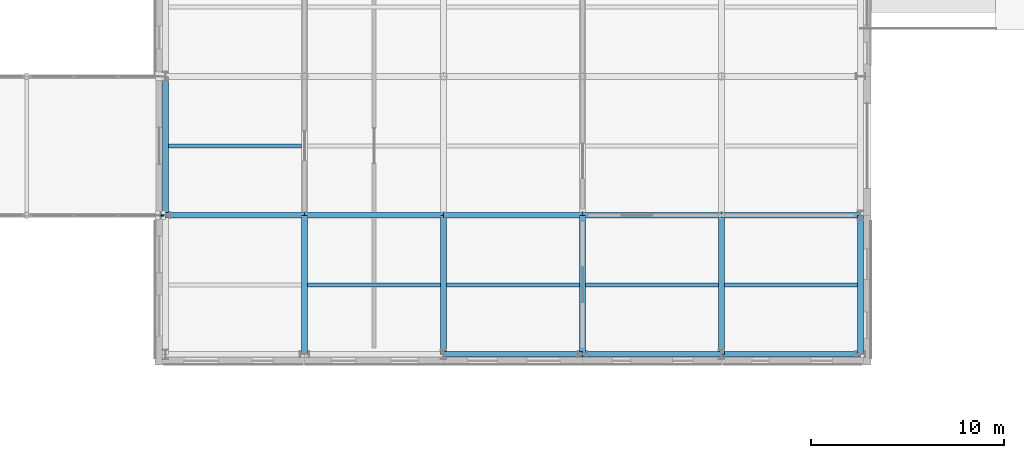
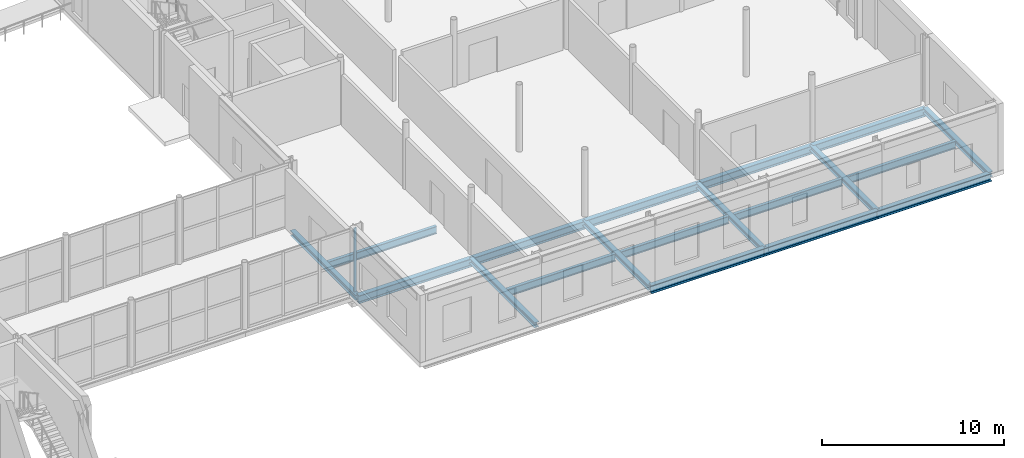
# One storey, part 39 of 92: 19 beams, 1 member, 1 element without a shape of its own.
"""IFC4 building model written with IfcOpenShell, lengths in metres."""

import ifcopenshell
import ifcopenshell.guid

model = None  # the IFC model being written
_history = None  # IfcOwnerHistory: only IFC2X3 demands one
_inside = {}  # id of a spatial element -> (the spatial element, [elements in it])
_under = {}  # id of a project, library or spatial element -> (it, [spatial elements below it])
_declared = {}  # id of a project -> (the project, [libraries it declares])
_typed = {}  # id of a type object -> (the type object, [elements of that type])
_made_of = {}  # id of a material, layer set ... -> (it, [elements and type objects made of it])


def new_model(schema):
    """Start an empty IFC model of exactly this schema.

    Asked for "IFC4X3", IfcOpenShell would pick the latest addendum, in which some entities
    have other attributes; the version numbers below select the first issue.
    IFC2X3 requires an IfcOwnerHistory on every rooted entity: one is made here for all.
    """
    global model, _history
    if schema == "IFC4X3":
        model = ifcopenshell.file(schema_version=(4, 3, 0, 0))
    else:
        model = ifcopenshell.file(schema=schema)
    _inside.clear()
    _under.clear()
    _declared.clear()
    _typed.clear()
    _made_of.clear()
    _history = None
    if model.schema == "IFC2X3":
        org = make("IfcOrganization", Name="unknown")
        user = make(
            "IfcPersonAndOrganization",
            ThePerson=make("IfcPerson", FamilyName="unknown"),
            TheOrganization=org,
        )
        app = make(
            "IfcApplication",
            ApplicationDeveloper=org,
            Version="unknown",
            ApplicationFullName="unknown",
            ApplicationIdentifier="unknown",
        )
        _history = make(
            "IfcOwnerHistory",
            OwningUser=user,
            OwningApplication=app,
            ChangeAction="ADDED",
            CreationDate=0,
        )
    return model


def make(cls, **values):
    """One entity of the class cls with the attributes given. An attribute that is None is left unset."""
    return model.create_entity(
        cls, **{name: value for name, value in values.items() if value is not None}
    )


def rooted(cls, **values):
    """An entity with a GlobalId (a new one), such as an element, a storey or a relation."""
    return make(cls, GlobalId=ifcopenshell.guid.new(), OwnerHistory=_history, **values)


def si_unit(unit_type, name, prefix=None):
    """IfcSIUnit, for example si_unit("LENGTHUNIT", "METRE", prefix="MILLI")."""
    return make("IfcSIUnit", UnitType=unit_type, Prefix=prefix, Name=name)


def assignment(units):
    """IfcUnitAssignment: the units of a project."""
    return None if units is None else make("IfcUnitAssignment", Units=units)


def point(xyz):
    """IfcCartesianPoint."""
    return None if xyz is None else make("IfcCartesianPoint", Coordinates=xyz)


def direction(xyz):
    """IfcDirection."""
    return None if xyz is None else make("IfcDirection", DirectionRatios=xyz)


def frame(location, z_axis=None, x_axis=None):
    """IfcAxis2Placement3D, a coordinate frame: its origin and axes. An axis left out is left unset."""
    return make(
        "IfcAxis2Placement3D",
        Location=point(location),
        Axis=direction(z_axis),
        RefDirection=direction(x_axis),
    )


def frame_2d(location, x_axis=None):
    """IfcAxis2Placement2D, a coordinate frame in the plane: its origin and x axis."""
    return make(
        "IfcAxis2Placement2D", Location=point(location), RefDirection=direction(x_axis)
    )


def origin():
    """The frame at (0, 0, 0) with its axes left unset."""
    return frame((0.0, 0.0, 0.0))


def origin_2d():
    """The frame at (0, 0) in the plane with its x axis left unset."""
    return frame_2d((0.0, 0.0))


def place(relative_to, where):
    """IfcLocalPlacement: puts the frame where relative to a parent placement (None: the world)."""
    return make(
        "IfcLocalPlacement", PlacementRelTo=relative_to, RelativePlacement=where
    )


def context(
    kind, dimensions, precision=None, world=None, true_north=None, identifier=None
):
    """IfcGeometricRepresentationContext, for example the 3D "Model" context."""
    return make(
        "IfcGeometricRepresentationContext",
        ContextIdentifier=identifier,
        ContextType=kind,
        CoordinateSpaceDimension=dimensions,
        Precision=precision,
        WorldCoordinateSystem=world,
        TrueNorth=true_north,
    )


def subcontext(parent, identifier, kind, view, scale=None):
    """IfcGeometricRepresentationSubContext, for example "Body" below "Model"."""
    return make(
        "IfcGeometricRepresentationSubContext",
        ContextIdentifier=identifier,
        ContextType=kind,
        ParentContext=parent,
        TargetScale=scale,
        TargetView=view,
    )


def project(units=None, contexts=None):
    """IfcProject with its units and contexts."""
    return rooted(
        "IfcProject",
        Name="project",
        RepresentationContexts=contexts,
        UnitsInContext=assignment(units),
    )


def spatial(cls, under=None, at=None, **own):
    """A site, building, storey or space (cls), placed at a placement, below another one or the project."""
    s = rooted(cls, ObjectPlacement=at, **own)
    if under is not None:
        _under.setdefault(under.id(), (under, []))[1].append(s)
    return s


def profile(cls, at=None, kind="AREA", **sizes):
    """A parametric profile (cls). Its sizes go by their IFC names, for example OverallWidth=200.0."""
    return make(cls, ProfileType=kind, Position=at, **sizes)


def rectangle(**sizes):
    """IfcRectangleProfileDef."""
    return profile("IfcRectangleProfileDef", **sizes)


def i_section(**sizes):
    """IfcIShapeProfileDef."""
    return profile("IfcIShapeProfileDef", **sizes)


def extrude(swept, where, along, depth):
    """IfcExtrudedAreaSolid: the profile swept, set in the frame where, extruded along a direction by depth."""
    return make(
        "IfcExtrudedAreaSolid",
        SweptArea=swept,
        Position=where,
        ExtrudedDirection=direction(along),
        Depth=depth,
    )


def shape(context_of_items, identifier, shape_type, items):
    """IfcShapeRepresentation: the items that make up one representation, for example the "Body"."""
    return make(
        "IfcShapeRepresentation",
        ContextOfItems=context_of_items,
        RepresentationIdentifier=identifier,
        RepresentationType=shape_type,
        Items=items,
    )


def material(Name=None, Category=None):
    """IfcMaterial."""
    return make("IfcMaterial", Name=Name, Category=Category)


def material_profile(
    of_material, cross_section, Name=None, Category=None, Priority=None
):
    """IfcMaterialProfile: a cross section and its material."""
    return make(
        "IfcMaterialProfile",
        Name=Name,
        Material=of_material,
        Profile=cross_section,
        Priority=Priority,
        Category=Category,
    )


def profile_set(profiles, Name=None, composite=None):
    """IfcMaterialProfileSet."""
    return make(
        "IfcMaterialProfileSet",
        Name=Name,
        MaterialProfiles=profiles,
        CompositeProfile=composite,
    )


def made_of(thing, what):
    """Note that an element or type object is made of a material, layer set ...; save() writes the relation."""
    if what is not None:
        _made_of.setdefault(what.id(), (what, []))[1].append(thing)
    return thing


def type_object(cls, material=None, **own):
    """A type object (cls), such as IfcWallType, which elements share."""
    return made_of(rooted(cls, **own), material)


def element(
    cls,
    number,
    at=None,
    inside=None,
    cuts=None,
    type_object=None,
    material=None,
    context=None,
    identifier="Body",
    shape_type=None,
    held_by="IfcProductDefinitionShape",
    body=None,
    shapes=None,
    **own,
):
    """One element of the class cls, such as IfcWall. Its Tag is "e" and its number.

    at: its placement. inside: the storey or other place that contains it. cuts: it is an
    opening in that element (IfcRelVoidsElement). A single representation is given by context,
    identifier, shape_type and body (its items); several are given by shapes. held_by: the class
    of the entity that holds the representations. save() writes the other relations.
    """
    e = rooted(cls, Tag="e%d" % number, ObjectPlacement=at, **own)
    if body is not None:
        shapes = [shape(context, identifier, shape_type, body)]
    if shapes is not None:
        e.Representation = make(held_by, Representations=shapes)
    if inside is not None:
        _inside.setdefault(inside.id(), (inside, []))[1].append(e)
    if cuts is not None:
        rooted(
            "IfcRelVoidsElement", RelatingBuildingElement=cuts, RelatedOpeningElement=e
        )
    if type_object is not None:
        _typed.setdefault(type_object.id(), (type_object, []))[1].append(e)
    return made_of(e, material)


def aggregate(whole, parts):
    """IfcRelAggregates: a whole, such as a stair, and the parts it consists of."""
    return rooted("IfcRelAggregates", RelatingObject=whole, RelatedObjects=parts)


def save(model, path):
    """Write the relations noted so far, then the file.

    IfcRelAggregates (storeys below a building ...), IfcRelContainedInSpatialStructure (elements
    in a storey), IfcRelDefinesByType, IfcRelAssociatesMaterial and IfcRelDeclares: one each for
    every whole, place, type object, material and project.
    """
    for whole, parts in _under.values():
        aggregate(whole, parts)
    for where, things in _inside.values():
        rooted(
            "IfcRelContainedInSpatialStructure",
            RelatedElements=things,
            RelatingStructure=where,
        )
    for kind, things in _typed.values():
        rooted("IfcRelDefinesByType", RelatedObjects=things, RelatingType=kind)
    for what, things in _made_of.values():
        rooted("IfcRelAssociatesMaterial", RelatedObjects=things, RelatingMaterial=what)
    for by, libraries in _declared.values():
        rooted("IfcRelDeclares", RelatingContext=by, RelatedDefinitions=libraries)
    model.write(path)


model = new_model("IFC4")

# Units and contexts
model_context = context("Model", 3, precision=1e-05, world=origin(), true_north=direction((0.0, 1.0)))
body_context = subcontext(model_context, "Body", "Model", "MODEL_VIEW")
ifc_project = project(units=[si_unit("LENGTHUNIT", "METRE"), si_unit("AREAUNIT", "SQUARE_METRE"), si_unit("VOLUMEUNIT", "CUBIC_METRE"), si_unit("PLANEANGLEUNIT", "RADIAN"), si_unit("MASSUNIT", "GRAM", prefix="KILO")], contexts=[model_context])

# Site, building, storey
site_placement = place(None, origin())
site = spatial("IfcSite", under=ifc_project, at=site_placement, CompositionType="ELEMENT")
building_placement = place(site_placement, origin())
building = spatial("IfcBuilding", under=site, at=building_placement, Name="Zlatovets Crest Museum", CompositionType="ELEMENT")
storey_placement = place(building_placement, origin())
storey = spatial("IfcBuildingStorey", under=building, at=storey_placement, Name="L00", CompositionType="ELEMENT", Elevation=0.0)

# Beams
ifc_material_1 = material(Name="Structural steel S355J2", Category="steel")
ifc_material_profile_1 = material_profile(ifc_material_1, i_section(OverallWidth=0.300048828125, OverallDepth=0.35009765625, WebThickness=0.010009765625, FlangeThickness=0.017578125, FilletRadius=0.027099609375, at=origin_2d()), Name="HEA 360")
ifc_profile_set_1 = profile_set([ifc_material_profile_1], Name="Structural steel S355J2")
beam_type_1 = type_object("IfcBeamType", Name="Beam_B-03", PredefinedType="BEAM", material=ifc_profile_set_1)
beam_1_placement = place(storey_placement, frame((129.60009765625, 21.60009765625, -0.455078125), z_axis=(0.0, 1.0, 0.0), x_axis=(-1.0, 0.0, 0.0)))
element("IfcBeam", 1, at=beam_1_placement, inside=storey, type_object=beam_type_1, Name="V5 L00 Grid Beam B-03", PredefinedType="BEAM", context=body_context, shape_type="SweptSolid", body=[
    extrude(i_section(OverallWidth=0.300048828125, OverallDepth=0.35009765625, WebThickness=0.010009765625, FlangeThickness=0.017578125, FilletRadius=0.027099609375, at=origin_2d()), origin(), (0.0, 0.0, 1.0), 7.199951171875),
])
for number, where, z_axis, x_axis, name in (
    (2, (136.800048828125, 14.39990234375, -0.455078125), (0.0, 1.0, 0.0), (-1.0, 0.0, 0.0), "V5 L00 Grid Beam B-03"),
    (3, (144.0, 14.39990234375, -0.455078125), (0.0, 1.0, 0.0), (-1.0, 0.0, 0.0), "V5 L00 Grid Beam B-03"),
    (4, (151.199951171875, 14.39990234375, -0.455078125), (0.0, 1.0, 0.0), (-1.0, 0.0, 0.0), "V5 L00 Grid Beam B-03"),
    (5, (158.39990234375, 14.39990234375, -0.455078125), (0.0, 1.0, 0.0), (-1.0, 0.0, 0.0), "V5 L00 Grid Beam B-03"),
    (6, (165.60009765625, 14.39990234375, -0.455078125), (0.0, 1.0, 0.0), (-1.0, 0.0, 0.0), "V5 L00 Grid Beam B-03"),
):
    element("IfcBeam", number, at=place(storey_placement, frame(where, z_axis=z_axis, x_axis=x_axis)), inside=storey, type_object=beam_type_1, Name=name, PredefinedType="BEAM", context=body_context, shape_type="SweptSolid", body=[
        extrude(i_section(OverallWidth=0.300048828125, OverallDepth=0.35009765625, WebThickness=0.010009765625, FlangeThickness=0.017578125, FilletRadius=0.027099609375, at=origin_2d()), origin(), (0.0, 0.0, 1.0), 7.2001953125),
    ])
ifc_material_profile_2 = material_profile(ifc_material_1, i_section(OverallWidth=0.300048828125, OverallDepth=0.5400390625, WebThickness=0.012451171875, FlangeThickness=0.02392578125, FilletRadius=0.027099609375, at=origin_2d()), Name="HEA 550")
ifc_profile_set_2 = profile_set([ifc_material_profile_2], Name="Structural steel S355J2")
beam_type_2 = type_object("IfcBeamType", Name="Beam_B-09", PredefinedType="BEAM", material=ifc_profile_set_2)
for number, where, z_axis, x_axis, name in (
    (7, (144.0, 14.39990234375, -0.550048828125), (1.0, 0.0, 0.0), (0.0, 1.0, 0.0), "V5 L00 Primary Girder B-09"),
    (8, (151.199951171875, 14.39990234375, -0.550048828125), (1.0, 0.0, 0.0), (0.0, 1.0, 0.0), "V5 L00 Primary Girder B-09"),
):
    element("IfcBeam", number, at=place(storey_placement, frame(where, z_axis=z_axis, x_axis=x_axis)), inside=storey, type_object=beam_type_2, Name=name, PredefinedType="BEAM", context=body_context, shape_type="SweptSolid", body=[
        extrude(i_section(OverallWidth=0.300048828125, OverallDepth=0.5400390625, WebThickness=0.012451171875, FlangeThickness=0.02392578125, FilletRadius=0.027099609375, at=origin_2d()), origin(), (0.0, 0.0, 1.0), 7.199951171875),
    ])
beam_2_placement = place(storey_placement, frame((158.39990234375, 14.39990234375, -0.550048828125), z_axis=(1.0, 0.0, 0.0), x_axis=(0.0, 1.0, 0.0)))
element("IfcBeam", 9, at=beam_2_placement, inside=storey, type_object=beam_type_2, Name="V5 L00 Primary Girder B-09", PredefinedType="BEAM", context=body_context, shape_type="SweptSolid", body=[
    extrude(i_section(OverallWidth=0.300048828125, OverallDepth=0.5400390625, WebThickness=0.012451171875, FlangeThickness=0.02392578125, FilletRadius=0.027099609375, at=origin_2d()), origin(), (0.0, 0.0, 1.0), 7.2001953125),
])
for number, where, z_axis, x_axis, name in (
    (10, (129.60009765625, 21.60009765625, -0.550048828125), (1.0, 0.0, 0.0), (0.0, 1.0, 0.0), "V5 L00 Primary Girder B-09"),
    (11, (136.800048828125, 21.60009765625, -0.550048828125), (1.0, 0.0, 0.0), (0.0, 1.0, 0.0), "V5 L00 Primary Girder B-09"),
    (12, (144.0, 21.60009765625, -0.550048828125), (1.0, 0.0, 0.0), (0.0, 1.0, 0.0), "V5 L00 Primary Girder B-09"),
    (13, (151.199951171875, 21.60009765625, -0.550048828125), (1.0, 0.0, 0.0), (0.0, 1.0, 0.0), "V5 L00 Primary Girder B-09"),
):
    element("IfcBeam", number, at=place(storey_placement, frame(where, z_axis=z_axis, x_axis=x_axis)), inside=storey, type_object=beam_type_2, Name=name, PredefinedType="BEAM", context=body_context, shape_type="SweptSolid", body=[
        extrude(i_section(OverallWidth=0.300048828125, OverallDepth=0.5400390625, WebThickness=0.012451171875, FlangeThickness=0.02392578125, FilletRadius=0.027099609375, at=origin_2d()), origin(), (0.0, 0.0, 1.0), 7.199951171875),
    ])
beam_3_placement = place(storey_placement, frame((158.39990234375, 21.60009765625, -0.550048828125), z_axis=(1.0, 0.0, 0.0), x_axis=(0.0, 1.0, 0.0)))
element("IfcBeam", 14, at=beam_3_placement, inside=storey, type_object=beam_type_2, Name="V5 L00 Primary Girder B-09", PredefinedType="BEAM", context=body_context, shape_type="SweptSolid", body=[
    extrude(i_section(OverallWidth=0.300048828125, OverallDepth=0.5400390625, WebThickness=0.012451171875, FlangeThickness=0.02392578125, FilletRadius=0.027099609375, at=origin_2d()), origin(), (0.0, 0.0, 1.0), 7.2001953125),
])
ifc_material_profile_3 = material_profile(ifc_material_1, i_section(OverallWidth=0.199951171875, OverallDepth=0.5, WebThickness=0.01025390625, FlangeThickness=0.01611328125, FilletRadius=0.02099609375, at=origin_2d()), Name="IPE 500")
ifc_profile_set_3 = profile_set([ifc_material_profile_3], Name="Structural steel S355J2")
beam_type_3 = type_object("IfcBeamType", Name="Beam_J-06", PredefinedType="JOIST", material=ifc_profile_set_3)
beam_4_placement = place(storey_placement, frame((129.75, 25.199951171875, -0.530029296875), z_axis=(1.0, 0.0, 0.0), x_axis=(0.0, 1.0, 0.0)))
element("IfcBeam", 15, at=beam_4_placement, inside=storey, type_object=beam_type_3, Name="V5 L00 Composite Joist J-06", PredefinedType="JOIST", context=body_context, shape_type="SweptSolid", body=[
    extrude(i_section(OverallWidth=0.199951171875, OverallDepth=0.5, WebThickness=0.01025390625, FlangeThickness=0.01611328125, FilletRadius=0.02099609375, at=origin_2d()), origin(), (0.0, 0.0, 1.0), 6.89990234375),
])
for number, where, z_axis, x_axis, name in (
    (16, (136.949951171875, 18.0, -0.530029296875), (1.0, 0.0, 0.0), (0.0, 1.0, 0.0), "V5 L00 Composite Joist J-06"),
    (17, (144.14990234375, 18.0, -0.530029296875), (1.0, 0.0, 0.0), (0.0, 1.0, 0.0), "V5 L00 Composite Joist J-06"),
):
    element("IfcBeam", number, at=place(storey_placement, frame(where, z_axis=z_axis, x_axis=x_axis)), inside=storey, type_object=beam_type_3, Name=name, PredefinedType="JOIST", context=body_context, shape_type="SweptSolid", body=[
        extrude(i_section(OverallWidth=0.199951171875, OverallDepth=0.5, WebThickness=0.01025390625, FlangeThickness=0.01611328125, FilletRadius=0.02099609375, at=origin_2d()), origin(), (0.0, 0.0, 1.0), 6.900146484375),
    ])
for number, where, z_axis, x_axis, name in (
    (18, (151.35009765625, 18.0, -0.530029296875), (1.0, 0.0, 0.0), (0.0, 1.0, 0.0), "V5 L00 Composite Joist J-06"),
    (19, (158.550048828125, 18.0, -0.530029296875), (1.0, 0.0, 0.0), (0.0, 1.0, 0.0), "V5 L00 Composite Joist J-06"),
):
    element("IfcBeam", number, at=place(storey_placement, frame(where, z_axis=z_axis, x_axis=x_axis)), inside=storey, type_object=beam_type_3, Name=name, PredefinedType="JOIST", context=body_context, shape_type="SweptSolid", body=[
        extrude(i_section(OverallWidth=0.199951171875, OverallDepth=0.5, WebThickness=0.01025390625, FlangeThickness=0.01611328125, FilletRadius=0.02099609375, at=origin_2d()), origin(), (0.0, 0.0, 1.0), 6.89990234375),
    ])

# Curtain wall, member
ifc_material_2 = material(Name="Bronze-anodised aluminium and low-E triple glass", Category="aluminium")
curtain_wall_type = type_object("IfcCurtainWallType", Name="CW_CW-BR4-L00-S69", PredefinedType="NOTDEFINED", material=ifc_material_2)
curtain_wall_placement = place(storey_placement, origin())
curtain_wall = element("IfcCurtainWall", 20, at=curtain_wall_placement, inside=storey, type_object=curtain_wall_type, Name="Southeast Archive Glazed Link Bridge L00 Glazed Bridge Curtain Wall", PredefinedType="NOTDEFINED")
ifc_material_3 = material(Name="Bronze-anodised aluminium EN AW-6060", Category="aluminium")
ifc_material_profile_4 = material_profile(ifc_material_3, rectangle(XDim=0.080078125, YDim=0.159912109375, at=origin_2d()), Name="ALU 80x160")
ifc_profile_set_4 = profile_set([ifc_material_profile_4], Name="Bronze-anodised aluminium EN AW-6060")
member_type = type_object("IfcMemberType", Name="CWMull_M1", PredefinedType="MULLION", material=ifc_profile_set_4)
member_placement = place(storey_placement, frame((129.419921875, 21.60009765625, 0.0), z_axis=(0.0, 0.0, 1.0), x_axis=(0.0, 1.0, 0.0)))
member = element("IfcMember", 21, at=member_placement, type_object=member_type, Name="CW-BR4-L00-S69 mullion 4", PredefinedType="MULLION", context=body_context, shape_type="SweptSolid", body=[
    extrude(rectangle(XDim=0.080078125, YDim=0.159912109375, at=origin_2d()), origin(), (0.0, 0.0, 1.0), 4.280029296875),
])
aggregate(curtain_wall, [member])

save(model, "model.ifc")
